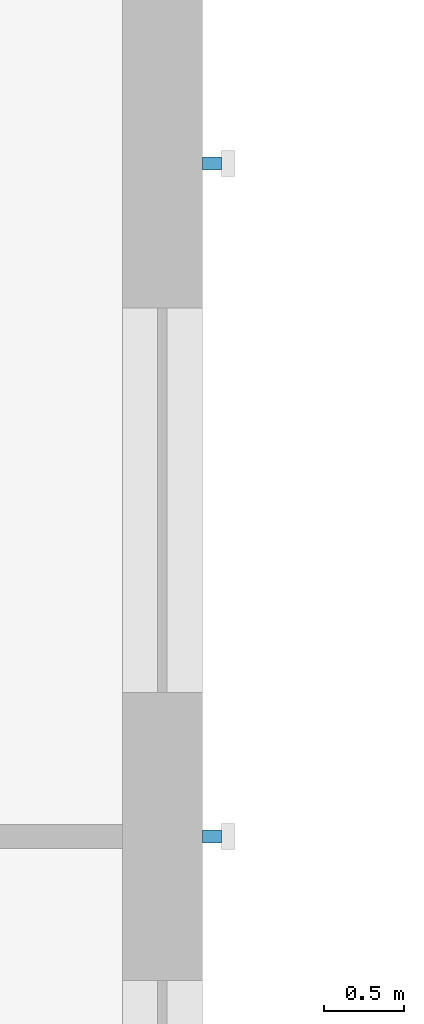
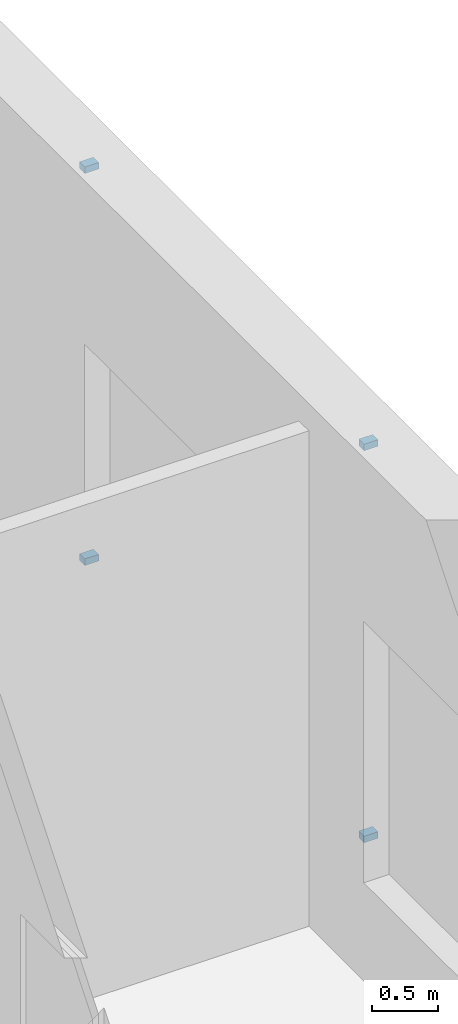
# One storey, part 84 of 116: 4 discrete accessories.
"""IFC4 building model written with IfcOpenShell, lengths in metres."""

import ifcopenshell
import ifcopenshell.guid

model = None  # the IFC model being written
_history = None  # IfcOwnerHistory: only IFC2X3 demands one
_inside = {}  # id of a spatial element -> (the spatial element, [elements in it])
_under = {}  # id of a project, library or spatial element -> (it, [spatial elements below it])
_declared = {}  # id of a project -> (the project, [libraries it declares])
_typed = {}  # id of a type object -> (the type object, [elements of that type])
_made_of = {}  # id of a material, layer set ... -> (it, [elements and type objects made of it])


def new_model(schema):
    """Start an empty IFC model of exactly this schema.

    Asked for "IFC4X3", IfcOpenShell would pick the latest addendum, in which some entities
    have other attributes; the version numbers below select the first issue.
    IFC2X3 requires an IfcOwnerHistory on every rooted entity: one is made here for all.
    """
    global model, _history
    if schema == "IFC4X3":
        model = ifcopenshell.file(schema_version=(4, 3, 0, 0))
    else:
        model = ifcopenshell.file(schema=schema)
    _inside.clear()
    _under.clear()
    _declared.clear()
    _typed.clear()
    _made_of.clear()
    _history = None
    if model.schema == "IFC2X3":
        org = make("IfcOrganization", Name="unknown")
        user = make(
            "IfcPersonAndOrganization",
            ThePerson=make("IfcPerson", FamilyName="unknown"),
            TheOrganization=org,
        )
        app = make(
            "IfcApplication",
            ApplicationDeveloper=org,
            Version="unknown",
            ApplicationFullName="unknown",
            ApplicationIdentifier="unknown",
        )
        _history = make(
            "IfcOwnerHistory",
            OwningUser=user,
            OwningApplication=app,
            ChangeAction="ADDED",
            CreationDate=0,
        )
    return model


def make(cls, **values):
    """One entity of the class cls with the attributes given. An attribute that is None is left unset."""
    return model.create_entity(
        cls, **{name: value for name, value in values.items() if value is not None}
    )


def rooted(cls, **values):
    """An entity with a GlobalId (a new one), such as an element, a storey or a relation."""
    return make(cls, GlobalId=ifcopenshell.guid.new(), OwnerHistory=_history, **values)


def si_unit(unit_type, name, prefix=None):
    """IfcSIUnit, for example si_unit("LENGTHUNIT", "METRE", prefix="MILLI")."""
    return make("IfcSIUnit", UnitType=unit_type, Prefix=prefix, Name=name)


def assignment(units):
    """IfcUnitAssignment: the units of a project."""
    return None if units is None else make("IfcUnitAssignment", Units=units)


def point(xyz):
    """IfcCartesianPoint."""
    return None if xyz is None else make("IfcCartesianPoint", Coordinates=xyz)


def direction(xyz):
    """IfcDirection."""
    return None if xyz is None else make("IfcDirection", DirectionRatios=xyz)


def frame(location, z_axis=None, x_axis=None):
    """IfcAxis2Placement3D, a coordinate frame: its origin and axes. An axis left out is left unset."""
    return make(
        "IfcAxis2Placement3D",
        Location=point(location),
        Axis=direction(z_axis),
        RefDirection=direction(x_axis),
    )


def frame_2d(location, x_axis=None):
    """IfcAxis2Placement2D, a coordinate frame in the plane: its origin and x axis."""
    return make(
        "IfcAxis2Placement2D", Location=point(location), RefDirection=direction(x_axis)
    )


def origin():
    """The frame at (0, 0, 0) with its axes left unset."""
    return frame((0.0, 0.0, 0.0))


def origin_2d():
    """The frame at (0, 0) in the plane with its x axis left unset."""
    return frame_2d((0.0, 0.0))


def place(relative_to, where):
    """IfcLocalPlacement: puts the frame where relative to a parent placement (None: the world)."""
    return make(
        "IfcLocalPlacement", PlacementRelTo=relative_to, RelativePlacement=where
    )


def context(
    kind, dimensions, precision=None, world=None, true_north=None, identifier=None
):
    """IfcGeometricRepresentationContext, for example the 3D "Model" context."""
    return make(
        "IfcGeometricRepresentationContext",
        ContextIdentifier=identifier,
        ContextType=kind,
        CoordinateSpaceDimension=dimensions,
        Precision=precision,
        WorldCoordinateSystem=world,
        TrueNorth=true_north,
    )


def subcontext(parent, identifier, kind, view, scale=None):
    """IfcGeometricRepresentationSubContext, for example "Body" below "Model"."""
    return make(
        "IfcGeometricRepresentationSubContext",
        ContextIdentifier=identifier,
        ContextType=kind,
        ParentContext=parent,
        TargetScale=scale,
        TargetView=view,
    )


def project(units=None, contexts=None):
    """IfcProject with its units and contexts."""
    return rooted(
        "IfcProject",
        Name="project",
        RepresentationContexts=contexts,
        UnitsInContext=assignment(units),
    )


def spatial(cls, under=None, at=None, **own):
    """A site, building, storey or space (cls), placed at a placement, below another one or the project."""
    s = rooted(cls, ObjectPlacement=at, **own)
    if under is not None:
        _under.setdefault(under.id(), (under, []))[1].append(s)
    return s


def profile(cls, at=None, kind="AREA", **sizes):
    """A parametric profile (cls). Its sizes go by their IFC names, for example OverallWidth=200.0."""
    return make(cls, ProfileType=kind, Position=at, **sizes)


def rectangle(**sizes):
    """IfcRectangleProfileDef."""
    return profile("IfcRectangleProfileDef", **sizes)


def extrude(swept, where, along, depth):
    """IfcExtrudedAreaSolid: the profile swept, set in the frame where, extruded along a direction by depth."""
    return make(
        "IfcExtrudedAreaSolid",
        SweptArea=swept,
        Position=where,
        ExtrudedDirection=direction(along),
        Depth=depth,
    )


def shape(context_of_items, identifier, shape_type, items):
    """IfcShapeRepresentation: the items that make up one representation, for example the "Body"."""
    return make(
        "IfcShapeRepresentation",
        ContextOfItems=context_of_items,
        RepresentationIdentifier=identifier,
        RepresentationType=shape_type,
        Items=items,
    )


def material(Name=None, Category=None):
    """IfcMaterial."""
    return make("IfcMaterial", Name=Name, Category=Category)


def made_of(thing, what):
    """Note that an element or type object is made of a material, layer set ...; save() writes the relation."""
    if what is not None:
        _made_of.setdefault(what.id(), (what, []))[1].append(thing)
    return thing


def type_object(cls, material=None, **own):
    """A type object (cls), such as IfcWallType, which elements share."""
    return made_of(rooted(cls, **own), material)


def element(
    cls,
    number,
    at=None,
    inside=None,
    cuts=None,
    type_object=None,
    material=None,
    context=None,
    identifier="Body",
    shape_type=None,
    held_by="IfcProductDefinitionShape",
    body=None,
    shapes=None,
    **own,
):
    """One element of the class cls, such as IfcWall. Its Tag is "e" and its number.

    at: its placement. inside: the storey or other place that contains it. cuts: it is an
    opening in that element (IfcRelVoidsElement). A single representation is given by context,
    identifier, shape_type and body (its items); several are given by shapes. held_by: the class
    of the entity that holds the representations. save() writes the other relations.
    """
    e = rooted(cls, Tag="e%d" % number, ObjectPlacement=at, **own)
    if body is not None:
        shapes = [shape(context, identifier, shape_type, body)]
    if shapes is not None:
        e.Representation = make(held_by, Representations=shapes)
    if inside is not None:
        _inside.setdefault(inside.id(), (inside, []))[1].append(e)
    if cuts is not None:
        rooted(
            "IfcRelVoidsElement", RelatingBuildingElement=cuts, RelatedOpeningElement=e
        )
    if type_object is not None:
        _typed.setdefault(type_object.id(), (type_object, []))[1].append(e)
    return made_of(e, material)


def aggregate(whole, parts):
    """IfcRelAggregates: a whole, such as a stair, and the parts it consists of."""
    return rooted("IfcRelAggregates", RelatingObject=whole, RelatedObjects=parts)


def save(model, path):
    """Write the relations noted so far, then the file.

    IfcRelAggregates (storeys below a building ...), IfcRelContainedInSpatialStructure (elements
    in a storey), IfcRelDefinesByType, IfcRelAssociatesMaterial and IfcRelDeclares: one each for
    every whole, place, type object, material and project.
    """
    for whole, parts in _under.values():
        aggregate(whole, parts)
    for where, things in _inside.values():
        rooted(
            "IfcRelContainedInSpatialStructure",
            RelatedElements=things,
            RelatingStructure=where,
        )
    for kind, things in _typed.values():
        rooted("IfcRelDefinesByType", RelatedObjects=things, RelatingType=kind)
    for what, things in _made_of.values():
        rooted("IfcRelAssociatesMaterial", RelatedObjects=things, RelatingMaterial=what)
    for by, libraries in _declared.values():
        rooted("IfcRelDeclares", RelatingContext=by, RelatedDefinitions=libraries)
    model.write(path)


model = new_model("IFC4")

# Units and contexts
model_context = context("Model", 3, precision=1e-05, world=origin(), true_north=direction((0.0, 1.0)))
body_context = subcontext(model_context, "Body", "Model", "MODEL_VIEW")
ifc_project = project(units=[si_unit("LENGTHUNIT", "METRE"), si_unit("AREAUNIT", "SQUARE_METRE"), si_unit("VOLUMEUNIT", "CUBIC_METRE"), si_unit("PLANEANGLEUNIT", "RADIAN"), si_unit("MASSUNIT", "GRAM", prefix="KILO")], contexts=[model_context])

# Site, building, storey
site_placement = place(None, origin())
site = spatial("IfcSite", under=ifc_project, at=site_placement, CompositionType="ELEMENT")
building_placement = place(site_placement, origin())
building = spatial("IfcBuilding", under=site, at=building_placement, Name="Ljudholm Concert House", CompositionType="ELEMENT")
storey_placement = place(building_placement, frame((0.0, 0.0, 10.199951171875)))
storey = spatial("IfcBuildingStorey", under=building, at=storey_placement, Name="L02", CompositionType="ELEMENT", Elevation=10.199951171875)

# Discrete accessories
ifc_material = material(Name="Stainless steel bracket", Category="steel")
discrete_accessory_type = type_object("IfcDiscreteAccessoryType", Name="BRACKET 120", PredefinedType="BRACKET", material=ifc_material)
for number, where, z_axis, x_axis, name in (
    (1, (46.31005859375, 31.300048828125, 0.570068359375), (0.0, 0.0, 1.0), (1.0, 0.0, 0.0), "Fin bracket"),
    (2, (46.31005859375, 31.300048828125, 4.169921875), (0.0, 0.0, 1.0), (1.0, 0.0, 0.0), "Fin bracket"),
    (3, (46.31005859375, 35.5, 0.570068359375), (0.0, 0.0, 1.0), (1.0, 0.0, 0.0), "Fin bracket"),
    (4, (46.31005859375, 35.5, 4.169921875), (0.0, 0.0, 1.0), (1.0, 0.0, 0.0), "Fin bracket"),
):
    element("IfcDiscreteAccessory", number, at=place(storey_placement, frame(where, z_axis=z_axis, x_axis=x_axis)), inside=storey, type_object=discrete_accessory_type, Name=name, PredefinedType="BRACKET", context=body_context, shape_type="SweptSolid", body=[
        extrude(rectangle(XDim=0.1201171875, YDim=0.080078125, at=origin_2d()), origin(), (0.0, 0.0, 1.0), 0.06005859375),
    ])

save(model, "model.ifc")
